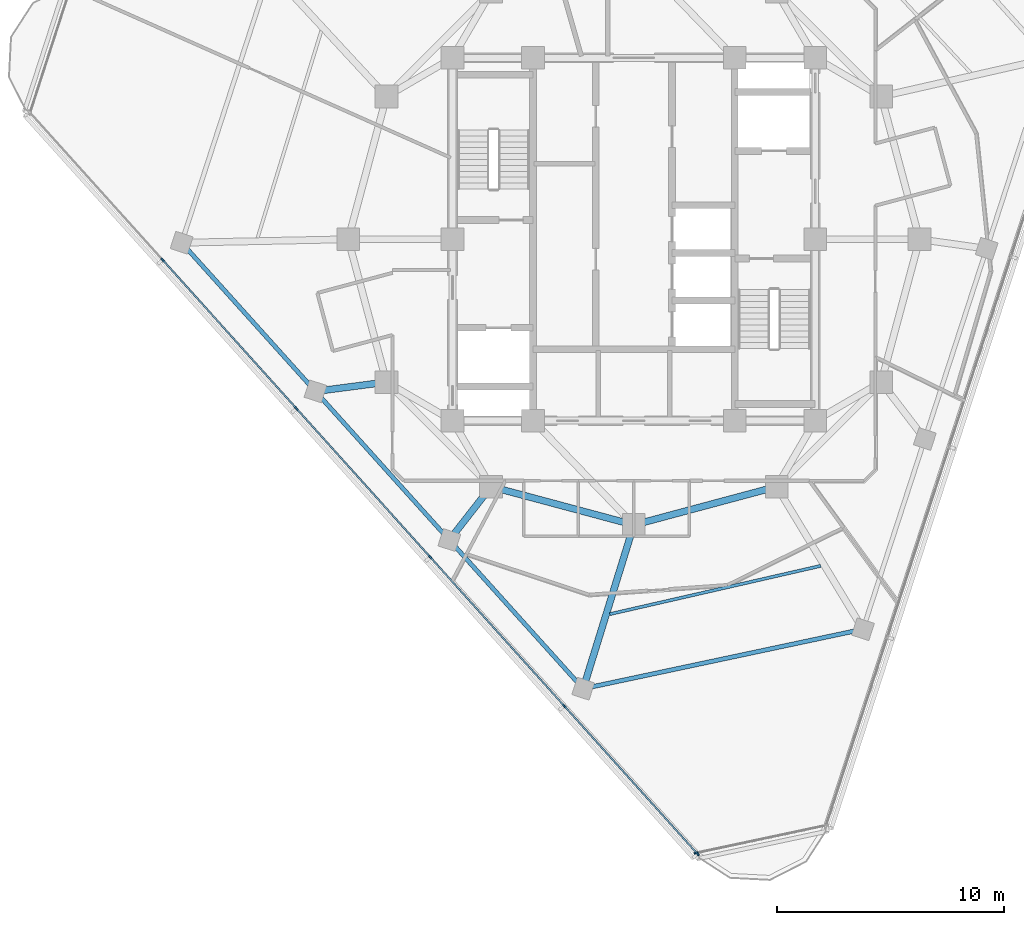
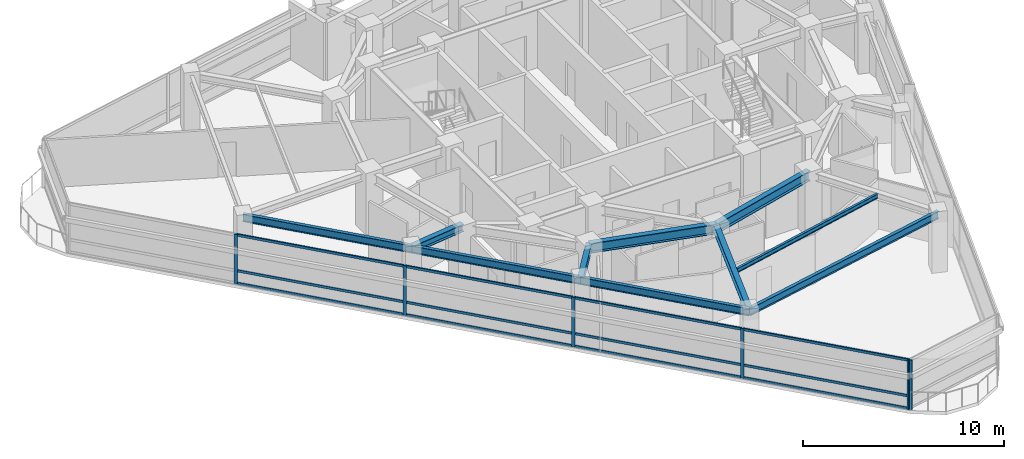
# One storey, part 2 of 15: 18 members, 10 beams, 2 elements without a shape of their own.
"""IFC4 building model written with IfcOpenShell, lengths in metres."""

from ifc_helpers import new_model, si_unit, direction, frame, origin, origin_2d, place, context, subcontext, project, spatial, rectangle, i_section, extrude, material, layer, layer_set, material_profile, profile_set, type_object, element, aggregate, save


model = new_model("IFC4")

# Units and contexts
model_context = context("Model", 3, precision=1e-05, world=origin(), true_north=direction((0.0, 1.0)))
body_context = subcontext(model_context, "Body", "Model", "MODEL_VIEW")
ifc_project = project(units=[si_unit("LENGTHUNIT", "METRE"), si_unit("AREAUNIT", "SQUARE_METRE"), si_unit("VOLUMEUNIT", "CUBIC_METRE"), si_unit("PLANEANGLEUNIT", "RADIAN"), si_unit("MASSUNIT", "GRAM", prefix="KILO")], contexts=[model_context])

# Site, building, storey
site_placement = place(None, origin())
site = spatial("IfcSite", under=ifc_project, at=site_placement, CompositionType="ELEMENT")
building_placement = place(site_placement, origin())
building = spatial("IfcBuilding", under=site, at=building_placement, Name="Terralouvre Media Tower", CompositionType="ELEMENT")
storey_placement = place(building_placement, frame((0.0, 0.0, 298.0)))
storey = spatial("IfcBuildingStorey", under=building, at=storey_placement, Name="L77", CompositionType="ELEMENT", Elevation=298.0)

# Beam
ifc_material_1 = material(Name="Structural steel S355J2", Category="steel")
ifc_material_profile_1 = material_profile(ifc_material_1, i_section(OverallWidth=0.135009765625, OverallDepth=0.27001953125, WebThickness=0.006591796875, FlangeThickness=0.01025390625, at=origin_2d()), Name="IPE 270")
ifc_profile_set_1 = profile_set([ifc_material_profile_1], Name="Structural steel S355J2")
beam_type_1 = type_object("IfcBeamType", Name="Composite Floor Joist J-IPE270 (IPE 270)", PredefinedType="JOIST", material=ifc_profile_set_1)
beam_1_placement = place(storey_placement, frame((-1.062744140625, -16.534912109375, 3.364990234375), z_axis=(0.974794010314, 0.223106784873, 0.0), x_axis=(-0.223106784873, 0.974794010314, 0.0)))
element("IfcBeam", 1, at=beam_1_placement, inside=storey, type_object=beam_type_1, Name="L77 Framing Beam JT-L77-02", PredefinedType="JOIST", context=body_context, shape_type="SweptSolid", body=[
    extrude(i_section(OverallWidth=0.135009765625, OverallDepth=0.27001953125, WebThickness=0.006591796875, FlangeThickness=0.01025390625, at=origin_2d()), origin(), (0.0, 0.0, 1.0), 9.544189453125),
])

# Curtain wall, members
ifc_material_2 = material(Name="Low-iron laminated double glazing with solar-control coating", Category="glass")
ifc_layer_1 = layer(ifc_material_2, 0.1650390625, Name="Faceted Glass-Point Crown Curtain Wall CW-06")
ifc_layer_set_1 = layer_set([ifc_layer_1], Name="Low-iron laminated double glazing with solar-control coating")
curtain_wall_type_1 = type_object("IfcCurtainWallType", Name="Faceted Glass-Point Crown Curtain Wall CW-06", PredefinedType="NOTDEFINED", material=ifc_layer_set_1)
curtain_wall_1_placement = place(storey_placement, origin())
curtain_wall_1 = element("IfcCurtainWall", 2, at=curtain_wall_1_placement, inside=storey, type_object=curtain_wall_type_1, Name="L77 Facade Curtain Wall F2", PredefinedType="NOTDEFINED")
ifc_material_3 = material(Name="Anodised extruded aluminium 6063-T6", Category="aluminium")
ifc_material_profile_2 = material_profile(ifc_material_3, rectangle(XDim=0.074951171875, YDim=0.14990234375, at=origin_2d()), Name="ALU 75x150")
ifc_profile_set_2 = profile_set([ifc_material_profile_2], Name="Anodised extruded aluminium 6063-T6")
member_type_1 = type_object("IfcMemberType", Name="Curtain-Wall Horizontal Transom TR-150", PredefinedType="USERDEFINED", material=ifc_profile_set_2)
member_1_placement = place(storey_placement, frame((-20.763671875, -0.935302734375, 0.03759765625), z_axis=(0.669121968521, -0.74315260293, 0.0), x_axis=(0.74315260293, 0.669121968521, 0.0)))
member_1 = element("IfcMember", 3, at=member_1_placement, type_object=member_type_1, Name="CW-06 transom 2.1", ObjectType="TRANSOM", PredefinedType="USERDEFINED", context=body_context, shape_type="SweptSolid", body=[
    extrude(rectangle(XDim=0.074951171875, YDim=0.14990234375, at=origin_2d()), origin(), (0.0, 0.0, 1.0), 8.749267578125),
])
member_2_placement = place(storey_placement, frame((-20.763671875, -0.935302734375, 0.800048828125), z_axis=(0.669121968521, -0.74315260293, 0.0), x_axis=(0.74315260293, 0.669121968521, 0.0)))
member_2 = element("IfcMember", 4, at=member_2_placement, type_object=member_type_1, Name="CW-06 transom 2.2", ObjectType="TRANSOM", PredefinedType="USERDEFINED", context=body_context, shape_type="SweptSolid", body=[
    extrude(rectangle(XDim=0.074951171875, YDim=0.14990234375, at=origin_2d()), origin(), (0.0, 0.0, 1.0), 8.749267578125),
])
member_3_placement = place(storey_placement, frame((-20.763671875, -0.935302734375, 2.96240234375), z_axis=(0.669121968521, -0.74315260293, 0.0), x_axis=(0.74315260293, 0.669121968521, 0.0)))
member_3 = element("IfcMember", 5, at=member_3_placement, type_object=member_type_1, Name="CW-06 transom 2.3", ObjectType="TRANSOM", PredefinedType="USERDEFINED", context=body_context, shape_type="SweptSolid", body=[
    extrude(rectangle(XDim=0.074951171875, YDim=0.14990234375, at=origin_2d()), origin(), (0.0, 0.0, 1.0), 8.749267578125),
])
member_4_placement = place(storey_placement, frame((-14.859375, -7.492919921875, 0.03759765625), z_axis=(0.669135844476, -0.743140109022, 0.0), x_axis=(0.743140109022, 0.669135844476, 0.0)))
member_4 = element("IfcMember", 6, at=member_4_placement, type_object=member_type_1, Name="CW-06 transom 3.1", ObjectType="TRANSOM", PredefinedType="USERDEFINED", context=body_context, shape_type="SweptSolid", body=[
    extrude(rectangle(XDim=0.074951171875, YDim=0.14990234375, at=origin_2d()), origin(), (0.0, 0.0, 1.0), 8.7490234375),
])
member_5_placement = place(storey_placement, frame((-14.859375, -7.492919921875, 0.800048828125), z_axis=(0.669135844476, -0.743140109022, 0.0), x_axis=(0.743140109022, 0.669135844476, 0.0)))
member_5 = element("IfcMember", 7, at=member_5_placement, type_object=member_type_1, Name="CW-06 transom 3.2", ObjectType="TRANSOM", PredefinedType="USERDEFINED", context=body_context, shape_type="SweptSolid", body=[
    extrude(rectangle(XDim=0.074951171875, YDim=0.14990234375, at=origin_2d()), origin(), (0.0, 0.0, 1.0), 8.7490234375),
])
member_6_placement = place(storey_placement, frame((-14.859375, -7.492919921875, 2.96240234375), z_axis=(0.669135844476, -0.743140109022, 0.0), x_axis=(0.743140109022, 0.669135844476, 0.0)))
member_6 = element("IfcMember", 8, at=member_6_placement, type_object=member_type_1, Name="CW-06 transom 3.3", ObjectType="TRANSOM", PredefinedType="USERDEFINED", context=body_context, shape_type="SweptSolid", body=[
    extrude(rectangle(XDim=0.074951171875, YDim=0.14990234375, at=origin_2d()), origin(), (0.0, 0.0, 1.0), 8.7490234375),
])
member_7_placement = place(storey_placement, frame((-8.954833984375, -14.050537109375, 0.03759765625), z_axis=(0.669135844476, -0.743140109022, 0.0), x_axis=(0.743140109022, 0.669135844476, 0.0)))
member_7 = element("IfcMember", 9, at=member_7_placement, type_object=member_type_1, Name="CW-06 transom 4.1", ObjectType="TRANSOM", PredefinedType="USERDEFINED", context=body_context, shape_type="SweptSolid", body=[
    extrude(rectangle(XDim=0.074951171875, YDim=0.14990234375, at=origin_2d()), origin(), (0.0, 0.0, 1.0), 8.7490234375),
])
member_8_placement = place(storey_placement, frame((-8.954833984375, -14.050537109375, 0.800048828125), z_axis=(0.669135844476, -0.743140109022, 0.0), x_axis=(0.743140109022, 0.669135844476, 0.0)))
member_8 = element("IfcMember", 10, at=member_8_placement, type_object=member_type_1, Name="CW-06 transom 4.2", ObjectType="TRANSOM", PredefinedType="USERDEFINED", context=body_context, shape_type="SweptSolid", body=[
    extrude(rectangle(XDim=0.074951171875, YDim=0.14990234375, at=origin_2d()), origin(), (0.0, 0.0, 1.0), 8.7490234375),
])
member_9_placement = place(storey_placement, frame((-8.954833984375, -14.050537109375, 2.96240234375), z_axis=(0.669135844476, -0.743140109022, 0.0), x_axis=(0.743140109022, 0.669135844476, 0.0)))
member_9 = element("IfcMember", 11, at=member_9_placement, type_object=member_type_1, Name="CW-06 transom 4.3", ObjectType="TRANSOM", PredefinedType="USERDEFINED", context=body_context, shape_type="SweptSolid", body=[
    extrude(rectangle(XDim=0.074951171875, YDim=0.14990234375, at=origin_2d()), origin(), (0.0, 0.0, 1.0), 8.7490234375),
])
member_10_placement = place(storey_placement, frame((-3.050537109375, -20.60791015625, 0.03759765625), z_axis=(0.669130389016, -0.743145021174, 0.0), x_axis=(0.743145021174, 0.669130389016, 0.0)))
member_10 = element("IfcMember", 12, at=member_10_placement, type_object=member_type_1, Name="CW-06 transom 5.1", ObjectType="TRANSOM", PredefinedType="USERDEFINED", context=body_context, shape_type="SweptSolid", body=[
    extrude(rectangle(XDim=0.074951171875, YDim=0.14990234375, at=origin_2d()), origin(), (0.0, 0.0, 1.0), 8.71142578125),
])
member_11_placement = place(storey_placement, frame((-3.050537109375, -20.60791015625, 0.800048828125), z_axis=(0.669130389016, -0.743145021174, 0.0), x_axis=(0.743145021174, 0.669130389016, 0.0)))
member_11 = element("IfcMember", 13, at=member_11_placement, type_object=member_type_1, Name="CW-06 transom 5.2", ObjectType="TRANSOM", PredefinedType="USERDEFINED", context=body_context, shape_type="SweptSolid", body=[
    extrude(rectangle(XDim=0.074951171875, YDim=0.14990234375, at=origin_2d()), origin(), (0.0, 0.0, 1.0), 8.71142578125),
])
member_12_placement = place(storey_placement, frame((-3.050537109375, -20.60791015625, 2.96240234375), z_axis=(0.669130389016, -0.743145021174, 0.0), x_axis=(0.743145021174, 0.669130389016, 0.0)))
member_12 = element("IfcMember", 14, at=member_12_placement, type_object=member_type_1, Name="CW-06 transom 5.3", ObjectType="TRANSOM", PredefinedType="USERDEFINED", context=body_context, shape_type="SweptSolid", body=[
    extrude(rectangle(XDim=0.074951171875, YDim=0.14990234375, at=origin_2d()), origin(), (0.0, 0.0, 1.0), 8.71142578125),
])
ifc_material_4 = material(Name="Anodised extruded aluminium 6063-T6", Category="aluminium")
ifc_material_profile_3 = material_profile(ifc_material_4, rectangle(XDim=0.074951171875, YDim=0.179931640625, at=origin_2d()), Name="ALU 75x180")
ifc_profile_set_3 = profile_set([ifc_material_profile_3], Name="Anodised extruded aluminium 6063-T6")
member_type_2 = type_object("IfcMemberType", Name="Curtain-Wall Vertical Mullion ML-180", PredefinedType="MULLION", material=ifc_profile_set_3)
member_13_placement = place(storey_placement, frame((-20.788818359375, -0.907470703125, 0.0), z_axis=(0.0, 0.0, 1.0), x_axis=(0.743144855036, 0.669130573531, 0.0)))
member_13 = element("IfcMember", 15, at=member_13_placement, type_object=member_type_2, Name="CW-06 mullion 2", PredefinedType="MULLION", context=body_context, shape_type="SweptSolid", body=[
    extrude(rectangle(XDim=0.074951171875, YDim=0.179931640625, at=origin_2d()), origin(), (0.0, 0.0, 1.0), 3.0),
])
member_14_placement = place(storey_placement, frame((-14.88427734375, -7.465087890625, 0.0), z_axis=(0.0, 0.0, 1.0), x_axis=(0.743144855036, 0.669130573531, 0.0)))
member_14 = element("IfcMember", 16, at=member_14_placement, type_object=member_type_2, Name="CW-06 mullion 3", PredefinedType="MULLION", context=body_context, shape_type="SweptSolid", body=[
    extrude(rectangle(XDim=0.074951171875, YDim=0.179931640625, at=origin_2d()), origin(), (0.0, 0.0, 1.0), 3.0),
])
member_15_placement = place(storey_placement, frame((-8.97998046875, -14.0224609375, 0.0), z_axis=(0.0, 0.0, 1.0), x_axis=(0.743144855036, 0.669130573531, 0.0)))
member_15 = element("IfcMember", 17, at=member_15_placement, type_object=member_type_2, Name="CW-06 mullion 4", PredefinedType="MULLION", context=body_context, shape_type="SweptSolid", body=[
    extrude(rectangle(XDim=0.074951171875, YDim=0.179931640625, at=origin_2d()), origin(), (0.0, 0.0, 1.0), 3.0),
])
member_16_placement = place(storey_placement, frame((-3.07568359375, -20.580078125, 0.0), z_axis=(0.0, 0.0, 1.0), x_axis=(0.743144855036, 0.669130573531, 0.0)))
member_16 = element("IfcMember", 18, at=member_16_placement, type_object=member_type_2, Name="CW-06 mullion 5", PredefinedType="MULLION", context=body_context, shape_type="SweptSolid", body=[
    extrude(rectangle(XDim=0.074951171875, YDim=0.179931640625, at=origin_2d()), origin(), (0.0, 0.0, 1.0), 3.0),
])
member_17_placement = place(storey_placement, frame((2.8037109375, -27.109619140625, 0.0), z_axis=(0.0, 0.0, 1.0), x_axis=(0.743144855036, 0.669130573531, 0.0)))
member_17 = element("IfcMember", 19, at=member_17_placement, type_object=member_type_2, Name="CW-06 mullion 6", PredefinedType="MULLION", context=body_context, shape_type="SweptSolid", body=[
    extrude(rectangle(XDim=0.074951171875, YDim=0.179931640625, at=origin_2d()), origin(), (0.0, 0.0, 1.0), 3.0),
])
aggregate(curtain_wall_1, [member_13, member_14, member_15, member_16, member_17, member_1, member_2, member_3, member_4, member_5, member_6, member_7, member_8, member_9, member_10, member_11, member_12])

# Curtain wall, member
ifc_material_5 = material(Name="Low-iron laminated double glazing with solar-control coating", Category="glass")
ifc_layer_2 = layer(ifc_material_5, 0.1650390625, Name="Rounded Wind-Corner Curved Glazing CW-04")
ifc_layer_set_2 = layer_set([ifc_layer_2], Name="Low-iron laminated double glazing with solar-control coating")
curtain_wall_type_2 = type_object("IfcCurtainWallType", Name="Rounded Wind-Corner Curved Glazing CW-04", PredefinedType="NOTDEFINED", material=ifc_layer_set_2)
curtain_wall_2_placement = place(storey_placement, origin())
curtain_wall_2 = element("IfcCurtainWall", 20, at=curtain_wall_2_placement, inside=storey, type_object=curtain_wall_type_2, Name="L77 Rounded Wind-Corner Curtain Wall C0", PredefinedType="NOTDEFINED")
member_18_placement = place(storey_placement, frame((2.747314453125, -27.0732421875, 0.0), z_axis=(0.0, 0.0, 1.0), x_axis=(-0.207911647592, 0.978147609922, 0.0)))
member_18 = element("IfcMember", 21, at=member_18_placement, type_object=member_type_2, Name="CW-04 mullion 1", PredefinedType="MULLION", context=body_context, shape_type="SweptSolid", body=[
    extrude(rectangle(XDim=0.074951171875, YDim=0.179931640625, at=origin_2d()), origin(), (0.0, 0.0, 1.0), 3.0),
])
aggregate(curtain_wall_2, [member_18])

# Beams
ifc_material_6 = material(Name="Structural steel S355J2", Category="steel")
ifc_material_profile_4 = material_profile(ifc_material_6, i_section(OverallWidth=0.18994140625, OverallDepth=0.449951171875, WebThickness=0.009521484375, FlangeThickness=0.0146484375, at=origin_2d()), Name="IPE 450")
ifc_profile_set_4 = profile_set([ifc_material_profile_4], Name="Structural steel S355J2")
beam_type_2 = type_object("IfcBeamType", Name="Perimeter Spandrel Beam SPB-450 (IPE 450)", PredefinedType="SPANDREL", material=ifc_profile_set_4)
for number, where, z_axis, x_axis, name in (
    (22, (-19.948974609375, -0.1513671875, 3.27490234375), (0.669117578136, -0.743156555935, 0.0), (0.743156555935, 0.669117578136, 0.0), "L77 Framing Beam BM-L77-PR01"),
    (23, (-14.044677734375, -6.708984375, 3.27490234375), (0.669146616148, -0.743130409887, 0.0), (0.743130409887, 0.669146616148, 0.0), "L77 Framing Beam BM-L77-PR02"),
    (24, (-8.14013671875, -13.266357421875, 3.27490234375), (0.669117578136, -0.743156555935, 0.0), (0.743156555935, 0.669117578136, 0.0), "L77 Framing Beam BM-L77-PR03"),
):
    element("IfcBeam", number, at=place(storey_placement, frame(where, z_axis=z_axis, x_axis=x_axis)), inside=storey, type_object=beam_type_2, Name=name, PredefinedType="SPANDREL", context=body_context, shape_type="SweptSolid", body=[
        extrude(i_section(OverallWidth=0.18994140625, OverallDepth=0.449951171875, WebThickness=0.009521484375, FlangeThickness=0.0146484375, at=origin_2d()), origin(), (0.0, 0.0, 1.0), 8.823974609375),
    ])
beam_2_placement = place(storey_placement, frame((-2.23583984375, -19.823974609375, 3.27490234375), z_axis=(0.978147391184, 0.207912676669, 0.0), x_axis=(-0.207912676669, 0.978147391184, 0.0)))
element("IfcBeam", 25, at=beam_2_placement, inside=storey, type_object=beam_type_2, Name="L77 Framing Beam BM-L77-PR04", PredefinedType="SPANDREL", context=body_context, shape_type="SweptSolid", body=[
    extrude(i_section(OverallWidth=0.18994140625, OverallDepth=0.449951171875, WebThickness=0.009521484375, FlangeThickness=0.0146484375, at=origin_2d()), origin(), (0.0, 0.0, 1.0), 12.6171875),
])
ifc_material_7 = material(Name="Structural steel S355J2", Category="steel")
ifc_material_profile_5 = material_profile(ifc_material_7, i_section(OverallWidth=0.300048828125, OverallDepth=0.449951171875, WebThickness=0.013916015625, FlangeThickness=0.02587890625, at=origin_2d()), Name="HEB 450")
ifc_profile_set_5 = profile_set([ifc_material_profile_5], Name="Structural steel S355J2")
beam_type_3 = type_object("IfcBeamType", Name="Primary Floor Girder B-HEB450 (HEB 450)", PredefinedType="BEAM", material=ifc_profile_set_5)
beam_3_placement = place(storey_placement, frame((-10.911865234375, -6.300048828125, 3.27490234375), z_axis=(-0.991587910477, -0.129434986756, 0.0), x_axis=(0.129434986756, -0.991587910477, 0.0)))
element("IfcBeam", 26, at=beam_3_placement, inside=storey, type_object=beam_type_3, Name="L77 Framing Beam BM-L77-RD02", PredefinedType="BEAM", context=body_context, shape_type="SweptSolid", body=[
    extrude(i_section(OverallWidth=0.300048828125, OverallDepth=0.449951171875, WebThickness=0.013916015625, FlangeThickness=0.02587890625, at=origin_2d()), origin(), (0.0, 0.0, 1.0), 3.159423828125),
])
beam_4_placement = place(storey_placement, frame((-6.300048828125, -10.911865234375, 3.27490234375), z_axis=(-0.615777211554, -0.787920316867, 0.0), x_axis=(0.787920316867, -0.615777211554, 0.0)))
element("IfcBeam", 27, at=beam_4_placement, inside=storey, type_object=beam_type_3, Name="L77 Framing Beam BM-L77-RD03", PredefinedType="BEAM", context=body_context, shape_type="SweptSolid", body=[
    extrude(i_section(OverallWidth=0.300048828125, OverallDepth=0.449951171875, WebThickness=0.013916015625, FlangeThickness=0.02587890625, at=origin_2d()), origin(), (0.0, 0.0, 1.0), 2.98828125),
])
beam_5_placement = place(storey_placement, frame((0.0, -12.60009765625, 3.27490234375), z_axis=(-0.295668996709, -0.955290450274, 0.0), x_axis=(0.955290450274, -0.295668996709, 0.0)))
element("IfcBeam", 28, at=beam_5_placement, inside=storey, type_object=beam_type_3, Name="L77 Framing Beam BM-L77-RD04", PredefinedType="BEAM", context=body_context, shape_type="SweptSolid", body=[
    extrude(i_section(OverallWidth=0.300048828125, OverallDepth=0.449951171875, WebThickness=0.013916015625, FlangeThickness=0.02587890625, at=origin_2d()), origin(), (0.0, 0.0, 1.0), 7.56201171875),
])
ifc_material_8 = material(Name="Structural steel S460M", Category="steel")
ifc_material_profile_6 = material_profile(ifc_material_8, i_section(OverallWidth=0.300048828125, OverallDepth=0.60009765625, WebThickness=0.015380859375, FlangeThickness=0.030029296875, at=origin_2d()), Name="HEB 600")
ifc_profile_set_6 = profile_set([ifc_material_profile_6], Name="Structural steel S460M")
beam_type_4 = type_object("IfcBeamType", Name="Primary Floor Girder B-HEB600 (HEB 600)", PredefinedType="BEAM", material=ifc_profile_set_6)
for number, where, z_axis, x_axis, name in (
    (29, (-6.300048828125, -10.911865234375, 3.199951171875), (0.965920481897, -0.258838989821, 0.0), (0.258838989821, 0.965920481897, 0.0), "L77 Framing Beam BM-L77-MR02"),
    (30, (0.0, -12.60009765625, 3.199951171875), (0.965920481897, 0.258838989821, 0.0), (-0.258838989821, 0.965920481897, 0.0), "L77 Framing Beam BM-L77-MR03"),
):
    element("IfcBeam", number, at=place(storey_placement, frame(where, z_axis=z_axis, x_axis=x_axis)), inside=storey, type_object=beam_type_4, Name=name, PredefinedType="BEAM", context=body_context, shape_type="SweptSolid", body=[
        extrude(i_section(OverallWidth=0.300048828125, OverallDepth=0.60009765625, WebThickness=0.015380859375, FlangeThickness=0.030029296875, at=origin_2d()), origin(), (0.0, 0.0, 1.0), 6.522216796875),
    ])

save(model, "model.ifc")
